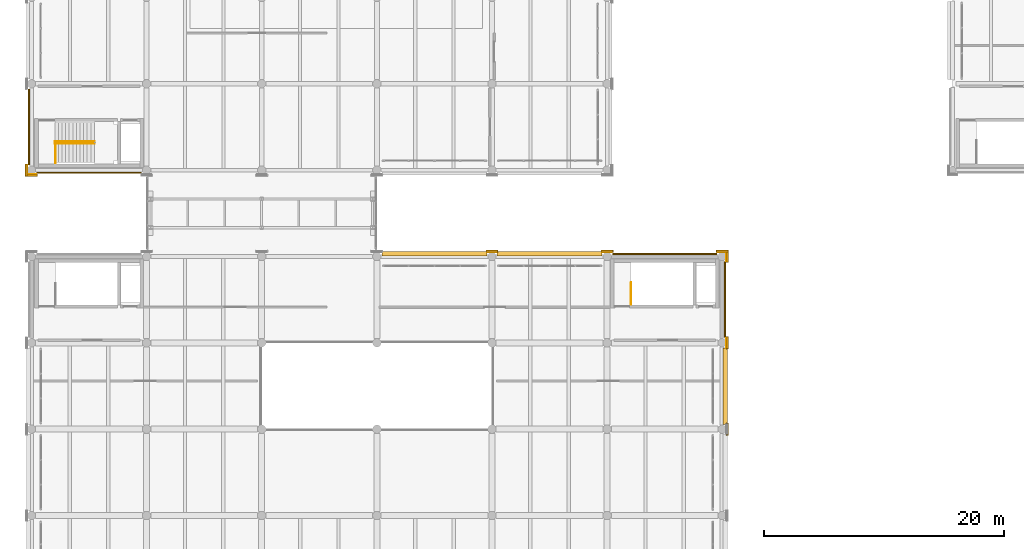
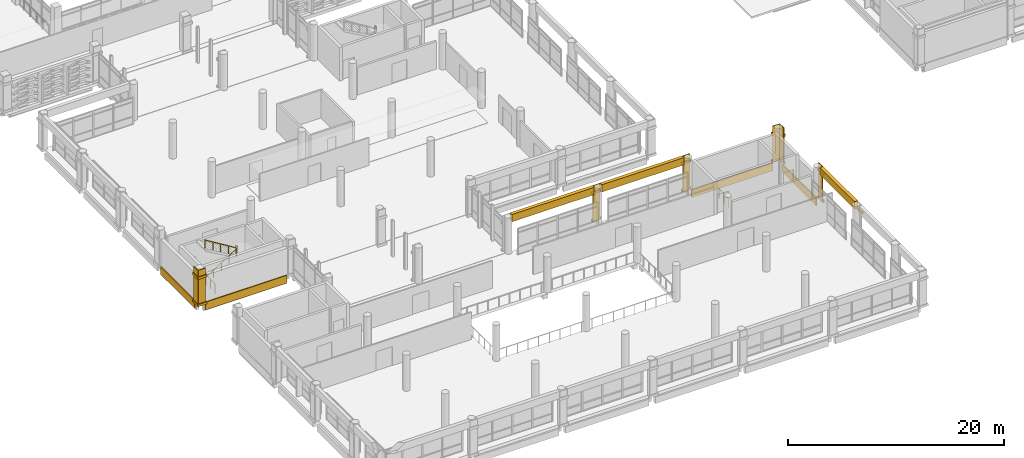
# One storey, part 161 of 180: 29 coverings, 4 railings.
"""IFC4 building model written with IfcOpenShell, lengths in metres."""

from ifc_helpers import new_model, si_unit, direction, frame, origin, origin_2d, place, context, subcontext, project, spatial, rectangle, circle, extrude, material, layer, layer_set, type_object, element, save


model = new_model("IFC4")

# Units and contexts
model_context = context("Model", 3, precision=1e-05, world=origin(), true_north=direction((0.0, 1.0)))
body_context = subcontext(model_context, "Body", "Model", "MODEL_VIEW")
ifc_project = project(units=[si_unit("LENGTHUNIT", "METRE"), si_unit("AREAUNIT", "SQUARE_METRE"), si_unit("VOLUMEUNIT", "CUBIC_METRE"), si_unit("PLANEANGLEUNIT", "RADIAN"), si_unit("MASSUNIT", "GRAM", prefix="KILO")], contexts=[model_context])

# Site, building, storey
site_placement = place(None, origin())
site = spatial("IfcSite", under=ifc_project, at=site_placement, CompositionType="ELEMENT")
building_placement = place(site_placement, origin())
building = spatial("IfcBuilding", under=site, at=building_placement, Name="Asteropetra Specialist Clinic", CompositionType="ELEMENT")
storey_placement = place(building_placement, frame((0.0, 0.0, 4.419921875)))
storey = spatial("IfcBuildingStorey", under=building, at=storey_placement, Name="L01", CompositionType="ELEMENT", Elevation=4.419921875)

# Coverings
ifc_material_1 = material(Name="Pentelic marble ashlar", Category="masonry")
ifc_layer = layer(ifc_material_1, 0.159912109375)
ifc_layer_set = layer_set([ifc_layer], Name="Pentelic marble ashlar")
covering_type = type_object("IfcCoveringType", Name="CRN-ENTAB-600", PredefinedType="MOLDING", material=ifc_layer_set)
for number, where, z_axis, x_axis, name in (
    (1, (33.60009765625, 26.639892578125, 3.25), (0.0, 0.0, 1.0), (1.0, 0.0, 0.0), "Stoa Classical Entablature SE-0017"),
    (2, (43.199951171875, 26.639892578125, 3.25), (0.0, 0.0, 1.0), (1.0, 0.0, 0.0), "Stoa Classical Entablature SE-0019"),
):
    element("IfcCovering", number, at=place(storey_placement, frame(where, z_axis=z_axis, x_axis=x_axis)), inside=storey, type_object=covering_type, Name=name, PredefinedType="MOLDING", context=body_context, shape_type="SweptSolid", body=[
        extrude(rectangle(XDim=8.780029296875, YDim=0.360107421875, at=origin_2d()), origin(), (0.0, 0.0, 1.0), 0.820068359375),
    ])
covering_1_placement = place(storey_placement, frame((57.840087890625, 15.60009765625, 3.25), z_axis=(0.0, 0.0, 1.0), x_axis=(1.0, 0.0, 0.0)))
element("IfcCovering", 3, at=covering_1_placement, inside=storey, type_object=covering_type, Name="Stoa Classical Entablature SE-0026", PredefinedType="MOLDING", context=body_context, shape_type="SweptSolid", body=[
    extrude(rectangle(XDim=0.360107421875, YDim=6.3798828125, at=origin_2d()), origin(), (0.0, 0.0, 1.0), 0.820068359375),
])
covering_2_placement = place(storey_placement, frame((38.39990234375, 26.781982421875, 0.02001953125), z_axis=(0.0, 0.0, 1.0), x_axis=(1.0, 0.0, 0.0)))
element("IfcCovering", 4, at=covering_2_placement, inside=storey, type_object=covering_type, Name="Neoclassical Pilaster Facing CM-0349", PredefinedType="MOLDING", context=body_context, shape_type="SweptSolid", body=[
    extrude(rectangle(XDim=0.780029296875, YDim=0.080078125, at=origin_2d()), origin(), (0.0, 0.0, 1.0), 4.0400390625),
])
for number, where, z_axis, x_axis, name in (
    (5, (38.39990234375, 26.822021484375, 0.01025390625), (0.0, 0.0, 1.0), (1.0, 0.0, 0.0), "Doric Base CC-0350"),
    (6, (38.39990234375, 26.822021484375, 3.08984375), (0.0, 0.0, 1.0), (1.0, 0.0, 0.0), "Doric Capital CC-0351"),
):
    element("IfcCovering", number, at=place(storey_placement, frame(where, z_axis=z_axis, x_axis=x_axis)), inside=storey, type_object=covering_type, Name=name, PredefinedType="MOLDING", context=body_context, shape_type="SweptSolid", body=[
        extrude(rectangle(XDim=0.97998046875, YDim=0.159912109375, at=origin_2d()), origin(), (0.0, 0.0, 1.0), 0.260009765625),
    ])
covering_3_placement = place(storey_placement, frame((48.0, 26.781982421875, 0.02001953125), z_axis=(0.0, 0.0, 1.0), x_axis=(1.0, 0.0, 0.0)))
element("IfcCovering", 7, at=covering_3_placement, inside=storey, type_object=covering_type, Name="Neoclassical Pilaster Facing CM-0355", PredefinedType="MOLDING", context=body_context, shape_type="SweptSolid", body=[
    extrude(rectangle(XDim=0.780029296875, YDim=0.080078125, at=origin_2d()), origin(), (0.0, 0.0, 1.0), 4.0400390625),
])
for number, where, z_axis, x_axis, name in (
    (8, (48.0, 26.822021484375, 0.01025390625), (0.0, 0.0, 1.0), (1.0, 0.0, 0.0), "Doric Base CC-0356"),
    (9, (48.0, 26.822021484375, 3.08984375), (0.0, 0.0, 1.0), (1.0, 0.0, 0.0), "Doric Capital CC-0357"),
):
    element("IfcCovering", number, at=place(storey_placement, frame(where, z_axis=z_axis, x_axis=x_axis)), inside=storey, type_object=covering_type, Name=name, PredefinedType="MOLDING", context=body_context, shape_type="SweptSolid", body=[
        extrude(rectangle(XDim=0.97998046875, YDim=0.159912109375, at=origin_2d()), origin(), (0.0, 0.0, 1.0), 0.260009765625),
    ])
covering_4_placement = place(storey_placement, frame((58.02197265625, 12.0, 3.08984375), z_axis=(0.0, 0.0, 1.0), x_axis=(1.0, 0.0, 0.0)))
element("IfcCovering", 10, at=covering_4_placement, inside=storey, type_object=covering_type, Name="Doric Capital CC-0369", PredefinedType="MOLDING", context=body_context, shape_type="SweptSolid", body=[
    extrude(rectangle(XDim=0.159912109375, YDim=0.97998046875, at=origin_2d()), origin(), (0.0, 0.0, 1.0), 0.260009765625),
])
covering_5_placement = place(storey_placement, frame((57.98193359375, 19.199951171875, 0.02001953125), z_axis=(0.0, 0.0, 1.0), x_axis=(1.0, 0.0, 0.0)))
element("IfcCovering", 11, at=covering_5_placement, inside=storey, type_object=covering_type, Name="Neoclassical Pilaster Facing CM-0370", PredefinedType="MOLDING", context=body_context, shape_type="SweptSolid", body=[
    extrude(rectangle(XDim=0.080078125, YDim=0.780029296875, at=origin_2d()), origin(), (0.0, 0.0, 1.0), 4.0400390625),
])
for number, where, z_axis, x_axis, name in (
    (12, (58.02197265625, 19.199951171875, 0.01025390625), (0.0, 0.0, 1.0), (1.0, 0.0, 0.0), "Doric Base CC-0371"),
    (13, (58.02197265625, 19.199951171875, 3.08984375), (0.0, 0.0, 1.0), (1.0, 0.0, 0.0), "Doric Capital CC-0372"),
):
    element("IfcCovering", number, at=place(storey_placement, frame(where, z_axis=z_axis, x_axis=x_axis)), inside=storey, type_object=covering_type, Name=name, PredefinedType="MOLDING", context=body_context, shape_type="SweptSolid", body=[
        extrude(rectangle(XDim=0.159912109375, YDim=0.97998046875, at=origin_2d()), origin(), (0.0, 0.0, 1.0), 0.260009765625),
    ])
covering_6_placement = place(storey_placement, frame((57.60009765625, 26.781982421875, 0.02001953125), z_axis=(0.0, 0.0, 1.0), x_axis=(1.0, 0.0, 0.0)))
element("IfcCovering", 14, at=covering_6_placement, inside=storey, type_object=covering_type, Name="Neoclassical Pilaster Facing CM-0373", PredefinedType="MOLDING", context=body_context, shape_type="SweptSolid", body=[
    extrude(rectangle(XDim=0.780029296875, YDim=0.080078125, at=origin_2d()), origin(), (0.0, 0.0, 1.0), 4.0400390625),
])
for number, where, z_axis, x_axis, name in (
    (15, (57.60009765625, 26.822021484375, 0.01025390625), (0.0, 0.0, 1.0), (1.0, 0.0, 0.0), "Doric Base CC-0374"),
    (16, (57.60009765625, 26.822021484375, 3.08984375), (0.0, 0.0, 1.0), (1.0, 0.0, 0.0), "Doric Capital CC-0375"),
):
    element("IfcCovering", number, at=place(storey_placement, frame(where, z_axis=z_axis, x_axis=x_axis)), inside=storey, type_object=covering_type, Name=name, PredefinedType="MOLDING", context=body_context, shape_type="SweptSolid", body=[
        extrude(rectangle(XDim=0.97998046875, YDim=0.159912109375, at=origin_2d()), origin(), (0.0, 0.0, 1.0), 0.260009765625),
    ])
covering_7_placement = place(storey_placement, frame((57.98193359375, 26.39990234375, 0.02001953125), z_axis=(0.0, 0.0, 1.0), x_axis=(1.0, 0.0, 0.0)))
element("IfcCovering", 17, at=covering_7_placement, inside=storey, type_object=covering_type, Name="Neoclassical Pilaster Facing CM-0376", PredefinedType="MOLDING", context=body_context, shape_type="SweptSolid", body=[
    extrude(rectangle(XDim=0.080078125, YDim=0.780029296875, at=origin_2d()), origin(), (0.0, 0.0, 1.0), 4.0400390625),
])
for number, where, z_axis, x_axis, name in (
    (18, (58.02197265625, 26.39990234375, 0.01025390625), (0.0, 0.0, 1.0), (1.0, 0.0, 0.0), "Doric Base CC-0377"),
    (19, (58.02197265625, 26.39990234375, 3.08984375), (0.0, 0.0, 1.0), (1.0, 0.0, 0.0), "Doric Capital CC-0378"),
):
    element("IfcCovering", number, at=place(storey_placement, frame(where, z_axis=z_axis, x_axis=x_axis)), inside=storey, type_object=covering_type, Name=name, PredefinedType="MOLDING", context=body_context, shape_type="SweptSolid", body=[
        extrude(rectangle(XDim=0.159912109375, YDim=0.97998046875, at=origin_2d()), origin(), (0.0, 0.0, 1.0), 0.260009765625),
    ])
covering_8_placement = place(storey_placement, frame((0.0, 33.218017578125, 0.02001953125), z_axis=(0.0, 0.0, 1.0), x_axis=(1.0, 0.0, 0.0)))
element("IfcCovering", 20, at=covering_8_placement, inside=storey, type_object=covering_type, Name="Neoclassical Pilaster Facing CM-0811", PredefinedType="MOLDING", context=body_context, shape_type="SweptSolid", body=[
    extrude(rectangle(XDim=0.780029296875, YDim=0.080078125, at=origin_2d()), origin(), (0.0, 0.0, 1.0), 4.0400390625),
])
for number, where, z_axis, x_axis, name in (
    (21, (0.0, 33.177978515625, 0.01025390625), (0.0, 0.0, 1.0), (1.0, 0.0, 0.0), "Doric Base CC-0812"),
    (22, (0.0, 33.177978515625, 3.08984375), (0.0, 0.0, 1.0), (1.0, 0.0, 0.0), "Doric Capital CC-0813"),
):
    element("IfcCovering", number, at=place(storey_placement, frame(where, z_axis=z_axis, x_axis=x_axis)), inside=storey, type_object=covering_type, Name=name, PredefinedType="MOLDING", context=body_context, shape_type="SweptSolid", body=[
        extrude(rectangle(XDim=0.97998046875, YDim=0.159912109375, at=origin_2d()), origin(), (0.0, 0.0, 1.0), 0.260009765625),
    ])
covering_9_placement = place(storey_placement, frame((-0.382080078125, 33.60009765625, 0.02001953125), z_axis=(0.0, 0.0, 1.0), x_axis=(1.0, 0.0, 0.0)))
element("IfcCovering", 23, at=covering_9_placement, inside=storey, type_object=covering_type, Name="Neoclassical Pilaster Facing CM-0814", PredefinedType="MOLDING", context=body_context, shape_type="SweptSolid", body=[
    extrude(rectangle(XDim=0.080078125, YDim=0.780029296875, at=origin_2d()), origin(), (0.0, 0.0, 1.0), 4.0400390625),
])
for number, where, z_axis, x_axis, name in (
    (24, (-0.422119140625, 33.60009765625, 0.01025390625), (0.0, 0.0, 1.0), (1.0, 0.0, 0.0), "Doric Base CC-0815"),
    (25, (-0.422119140625, 33.60009765625, 3.08984375), (0.0, 0.0, 1.0), (1.0, 0.0, 0.0), "Doric Capital CC-0816"),
):
    element("IfcCovering", number, at=place(storey_placement, frame(where, z_axis=z_axis, x_axis=x_axis)), inside=storey, type_object=covering_type, Name=name, PredefinedType="MOLDING", context=body_context, shape_type="SweptSolid", body=[
        extrude(rectangle(XDim=0.159912109375, YDim=0.97998046875, at=origin_2d()), origin(), (0.0, 0.0, 1.0), 0.260009765625),
    ])
covering_10_placement = place(storey_placement, frame((52.800048828125, 26.610107421875, -0.7998046875), z_axis=(0.0, 0.0, 1.0), x_axis=(1.0, 0.0, 0.0)))
element("IfcCovering", 26, at=covering_10_placement, inside=storey, type_object=covering_type, Name="Chevron Spandrel Band CV-1366", PredefinedType="MOLDING", context=body_context, shape_type="SweptSolid", body=[
    extrude(rectangle(XDim=8.699951171875, YDim=0.1201171875, at=origin_2d()), origin(), (0.0, 0.0, 1.0), 0.8798828125),
])
covering_11_placement = place(storey_placement, frame((57.81005859375, 22.800048828125, -0.7998046875), z_axis=(0.0, 0.0, 1.0), x_axis=(1.0, 0.0, 0.0)))
element("IfcCovering", 27, at=covering_11_placement, inside=storey, type_object=covering_type, Name="Chevron Spandrel Band CV-1368", PredefinedType="MOLDING", context=body_context, shape_type="SweptSolid", body=[
    extrude(rectangle(XDim=0.1201171875, YDim=6.300048828125, at=origin_2d()), origin(), (0.0, 0.0, 1.0), 0.8798828125),
])
covering_12_placement = place(storey_placement, frame((4.800048828125, 33.3798828125, -0.7998046875), z_axis=(0.0, 0.0, 1.0), x_axis=(1.0, 0.0, 0.0)))
element("IfcCovering", 28, at=covering_12_placement, inside=storey, type_object=covering_type, Name="Chevron Spandrel Band CV-1846", PredefinedType="MOLDING", context=body_context, shape_type="SweptSolid", body=[
    extrude(rectangle(XDim=8.699951171875, YDim=0.1201171875, at=origin_2d()), origin(), (0.0, 0.0, 1.0), 0.8798828125),
])
covering_13_placement = place(storey_placement, frame((-0.219970703125, 37.199951171875, -0.7998046875), z_axis=(0.0, 0.0, 1.0), x_axis=(1.0, 0.0, 0.0)))
element("IfcCovering", 29, at=covering_13_placement, inside=storey, type_object=covering_type, Name="Chevron Spandrel Band CV-1848", PredefinedType="MOLDING", context=body_context, shape_type="SweptSolid", body=[
    extrude(rectangle(XDim=0.1201171875, YDim=6.300048828125, at=origin_2d()), origin(), (0.0, 0.0, 1.0), 0.8798828125),
])

# Railings
ifc_material_2 = material(Name="Steel S355 and laminated glass guard", Category="steel")
railing_type_1 = type_object("IfcRailingType", Name="GRD-INT-1120", PredefinedType="GUARDRAIL", material=ifc_material_2)
railing_1_placement = place(storey_placement, frame((2.0, 34.199951171875, 0.0)))
element("IfcRailing", 30, at=railing_1_placement, inside=storey, type_object=railing_type_1, Name="Stair Well Guard ST04-L00", PredefinedType="GUARDRAIL", context=body_context, shape_type="SweptSolid", body=[
    extrude(circle(Radius=0.02392578125, at=origin_2d()), frame((0.0, 0.0, 1.09619140625), z_axis=(0.0, 1.0, 0.0), x_axis=(-1.0, 0.0, 0.0)), (0.0, 0.0, 1.0), 1.72998046875),
    extrude(circle(Radius=0.02099609375, at=origin_2d()), origin(), (0.0, 0.0, 1.0), 1.072021484375),
    extrude(circle(Radius=0.02099609375, at=origin_2d()), frame((0.0, 0.864990234375, 0.0)), (0.0, 0.0, 1.0), 1.072021484375),
    extrude(circle(Radius=0.02099609375, at=origin_2d()), frame((0.0, 1.72998046875, 0.0)), (0.0, 0.0, 1.0), 1.072021484375),
])
railing_2_placement = place(storey_placement, frame((50.0, 22.3798828125, 0.0)))
element("IfcRailing", 31, at=railing_2_placement, inside=storey, type_object=railing_type_1, Name="Stair Well Guard ST07-L00", PredefinedType="GUARDRAIL", context=body_context, shape_type="SweptSolid", body=[
    extrude(circle(Radius=0.02392578125, at=origin_2d()), frame((0.0, 0.0, 1.09619140625), z_axis=(0.0, 1.0, 0.0), x_axis=(-1.0, 0.0, 0.0)), (0.0, 0.0, 1.0), 1.830078125),
    extrude(circle(Radius=0.02099609375, at=origin_2d()), origin(), (0.0, 0.0, 1.0), 1.072021484375),
    extrude(circle(Radius=0.02099609375, at=origin_2d()), frame((0.0, 0.9150390625, 0.0)), (0.0, 0.0, 1.0), 1.072021484375),
    extrude(circle(Radius=0.02099609375, at=origin_2d()), frame((0.0, 1.830078125, 0.0)), (0.0, 0.0, 1.0), 1.072021484375),
])
ifc_material_3 = material(Name="Brushed stainless steel handrail", Category="steel")
railing_type_2 = type_object("IfcRailingType", Name="HRL-STAIR-920", PredefinedType="HANDRAIL", material=ifc_material_3)
railing_3_placement = place(storey_placement, frame((1.949951171875, 35.840087890625, 0.0)))
element("IfcRailing", 32, at=railing_3_placement, inside=storey, type_object=railing_type_2, Name="Stair Handrail ST04-L01 F1", PredefinedType="HANDRAIL", context=body_context, shape_type="SweptSolid", body=[
    extrude(circle(Radius=0.02392578125, at=origin_2d()), frame((0.0, 0.0, 0.89599609375), z_axis=(0.850593546085, 0.0, 0.525823753132), x_axis=(0.0, 1.0, 0.0)), (0.0, 0.0, 1.0), 3.879638671875),
    extrude(circle(Radius=0.02099609375, at=origin_2d()), origin(), (0.0, 0.0, 1.0), 0.871826171875),
    extrude(circle(Radius=0.02099609375, at=origin_2d()), frame((0.824951171875, 0.0, 0.510009765625)), (0.0, 0.0, 1.0), 0.871826171875),
    extrude(circle(Radius=0.02099609375, at=origin_2d()), frame((1.64990234375, 0.0, 1.02001953125)), (0.0, 0.0, 1.0), 0.871826171875),
    extrude(circle(Radius=0.02099609375, at=origin_2d()), frame((2.47509765625, 0.0, 1.530029296875)), (0.0, 0.0, 1.0), 0.871826171875),
    extrude(circle(Radius=0.02099609375, at=origin_2d()), frame((3.300048828125, 0.0, 2.0400390625)), (0.0, 0.0, 1.0), 0.871826171875),
])
railing_4_placement = place(storey_placement, frame((5.25, 35.97998046875, 2.0400390625)))
element("IfcRailing", 33, at=railing_4_placement, inside=storey, type_object=railing_type_2, Name="Stair Handrail ST04-L01 F2", PredefinedType="HANDRAIL", context=body_context, shape_type="SweptSolid", body=[
    extrude(circle(Radius=0.02392578125, at=origin_2d()), frame((0.0, 0.0, 0.89599609375), z_axis=(-0.850593546085, 0.0, 0.525823753132), x_axis=(0.0, -1.0, 0.0)), (0.0, 0.0, 1.0), 3.879638671875),
    extrude(circle(Radius=0.02099609375, at=origin_2d()), origin(), (0.0, 0.0, 1.0), 0.871826171875),
    extrude(circle(Radius=0.02099609375, at=origin_2d()), frame((-0.824951171875, 0.0, 0.510009765625)), (0.0, 0.0, 1.0), 0.871826171875),
    extrude(circle(Radius=0.02099609375, at=origin_2d()), frame((-1.64990234375, 0.0, 1.02001953125)), (0.0, 0.0, 1.0), 0.871826171875),
    extrude(circle(Radius=0.02099609375, at=origin_2d()), frame((-2.47509765625, 0.0, 1.530029296875)), (0.0, 0.0, 1.0), 0.871826171875),
    extrude(circle(Radius=0.02099609375, at=origin_2d()), frame((-3.300048828125, 0.0, 2.0400390625)), (0.0, 0.0, 1.0), 0.871826171875),
])

save(model, "model.ifc")
